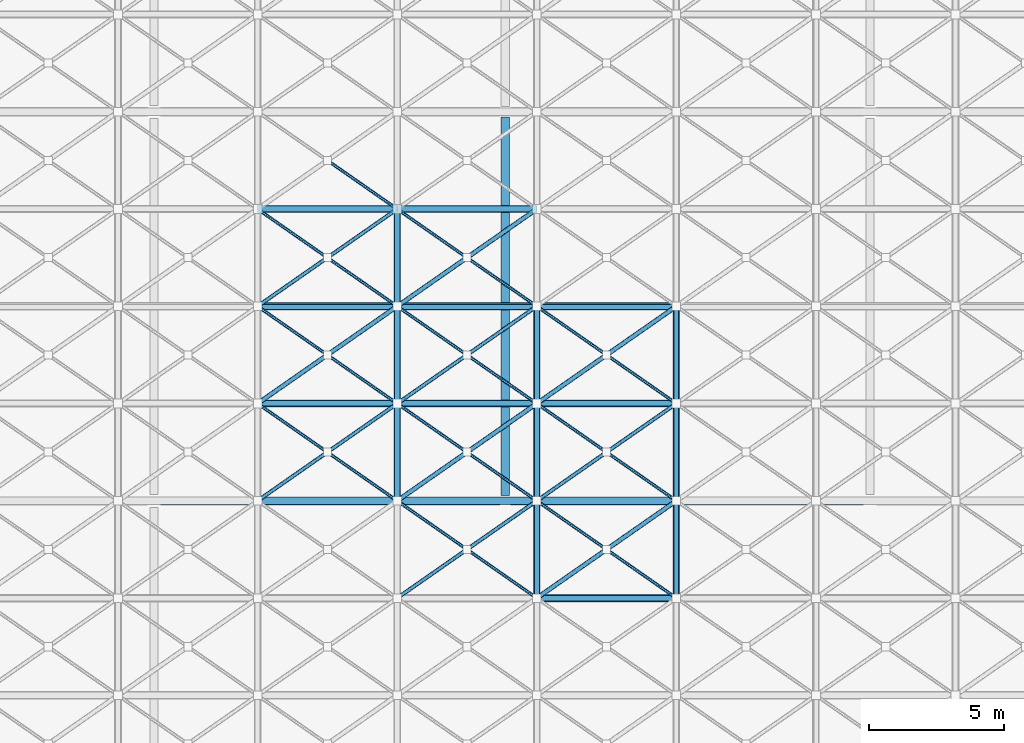
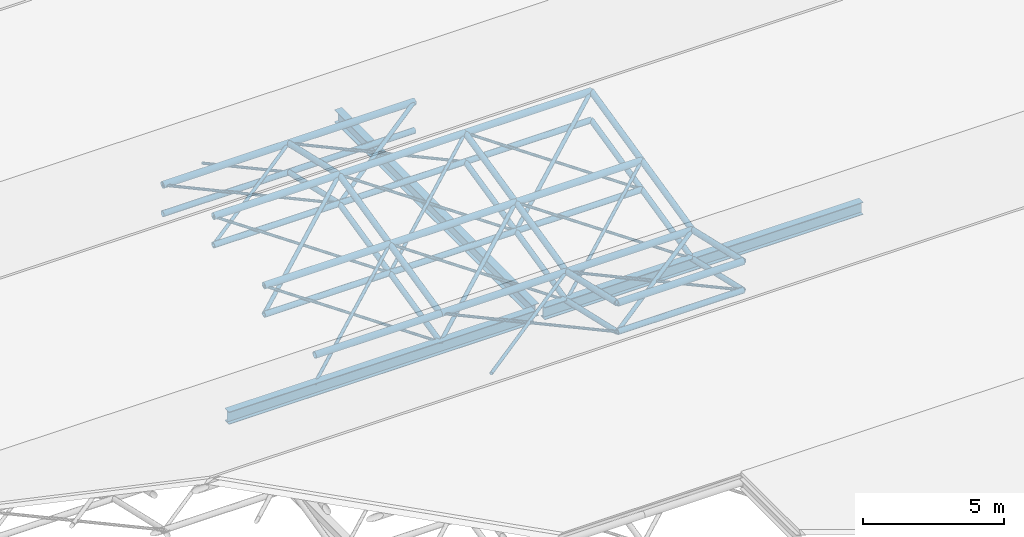
# One storey, part 39 of 110: 70 members, 3 beams.
"""IFC4 building model written with IfcOpenShell, lengths in metres."""

from ifc_helpers import new_model, si_unit, direction, frame, origin, origin_2d, place, context, subcontext, project, spatial, hollow_circle, i_section, extrude, material, material_profile, profile_set, type_object, element, save


model = new_model("IFC4")

# Units and contexts
model_context = context("Model", 3, precision=1e-05, world=origin(), true_north=direction((0.0, 1.0)))
body_context = subcontext(model_context, "Body", "Model", "MODEL_VIEW")
ifc_project = project(units=[si_unit("LENGTHUNIT", "METRE"), si_unit("AREAUNIT", "SQUARE_METRE"), si_unit("VOLUMEUNIT", "CUBIC_METRE"), si_unit("PLANEANGLEUNIT", "RADIAN"), si_unit("MASSUNIT", "GRAM", prefix="KILO")], contexts=[model_context])

# Site, building, storey
site_placement = place(None, origin())
site = spatial("IfcSite", under=ifc_project, at=site_placement, CompositionType="ELEMENT")
building_placement = place(site_placement, origin())
building = spatial("IfcBuilding", under=site, at=building_placement, Name="Tamarisk Ironworks Central Station", CompositionType="ELEMENT")
storey_placement = place(building_placement, frame((0.0, 0.0, 17.39990234375)))
storey = spatial("IfcBuildingStorey", under=building, at=storey_placement, Name="L03", CompositionType="ELEMENT", Elevation=17.39990234375)

# Beams
ifc_material_1 = material(Name="Structural steel S355J2", Category="steel")
ifc_material_profile_1 = material_profile(ifc_material_1, i_section(OverallWidth=0.300048828125, OverallDepth=0.5400390625, WebThickness=0.012451171875, FlangeThickness=0.02392578125, at=origin_2d()), Name="HEA 550")
ifc_profile_set_1 = profile_set([ifc_material_profile_1], Name="Structural steel S355J2")
beam_type = type_object("IfcBeamType", Name="BM-G04", PredefinedType="BEAM", material=ifc_profile_set_1)
beam_1_placement = place(storey_placement, frame((140.241943359375, 36.0, -1.869873046875), z_axis=(1.0, 0.0, 0.0), x_axis=(0.0, 1.0, 0.0)))
element("IfcBeam", 1, at=beam_1_placement, inside=storey, type_object=beam_type, Name="L03 primary girder X-0554", PredefinedType="BEAM", context=body_context, shape_type="SweptSolid", body=[
    extrude(i_section(OverallWidth=0.300048828125, OverallDepth=0.5400390625, WebThickness=0.012451171875, FlangeThickness=0.02392578125, at=origin_2d()), origin(), (0.0, 0.0, 1.0), 12.56689453125),
])
beam_2_placement = place(storey_placement, frame((153.191162109375, 36.0, -1.869873046875), z_axis=(1.0, 0.0, 0.0), x_axis=(0.0, 1.0, 0.0)))
element("IfcBeam", 2, at=beam_2_placement, inside=storey, type_object=beam_type, Name="L03 primary girder X-0555", PredefinedType="BEAM", context=body_context, shape_type="SweptSolid", body=[
    extrude(i_section(OverallWidth=0.300048828125, OverallDepth=0.5400390625, WebThickness=0.012451171875, FlangeThickness=0.02392578125, at=origin_2d()), origin(), (0.0, 0.0, 1.0), 13.06689453125),
])
beam_3_placement = place(storey_placement, frame((153.0, 36.191162109375, -1.869873046875), z_axis=(0.0, 1.0, 0.0), x_axis=(-1.0, 0.0, 0.0)))
element("IfcBeam", 3, at=beam_3_placement, inside=storey, type_object=beam_type, Name="L03 primary girder Y-0616", PredefinedType="BEAM", context=body_context, shape_type="SweptSolid", body=[
    extrude(i_section(OverallWidth=0.300048828125, OverallDepth=0.5400390625, WebThickness=0.012451171875, FlangeThickness=0.02392578125, at=origin_2d()), origin(), (0.0, 0.0, 1.0), 14.017578125),
])

# Members
ifc_material_2 = material(Name="Structural steel S355J2H", Category="steel")
ifc_material_profile_2 = material_profile(ifc_material_2, hollow_circle(Radius=0.136474609375, WallThickness=0.012451171875, at=origin_2d()), Name="CHS 273x12.5")
ifc_profile_set_2 = profile_set([ifc_material_profile_2], Name="Structural steel S355J2H")
member_type_1 = type_object("IfcMemberType", Name="MB-SFC01", PredefinedType="CHORD", material=ifc_profile_set_2)
member_1_placement = place(storey_placement, frame((154.166748046875, 32.39990234375, 0.35498046875), z_axis=(1.0, 0.0, 0.0), x_axis=(0.0, 1.0, 0.0)))
element("IfcMember", 4, at=member_1_placement, inside=storey, type_object=member_type_1, Name="Train shed space-frame top chord 1094", PredefinedType="CHORD", context=body_context, shape_type="SweptSolid", body=[
    extrude(hollow_circle(Radius=0.136474609375, WallThickness=0.012451171875, at=origin_2d()), origin(), (0.0, 0.0, 1.0), 5.16650390625),
])
for number, where, z_axis, x_axis, name in (
    (5, (143.833251953125, 36.0, -0.469970703125), (1.0, 0.0, 0.0), (0.0, 1.0, 0.0), "Train shed space-frame top chord 1104"),
    (6, (149.0, 36.0, -0.469970703125), (1.0, 0.0, 0.0), (0.0, 1.0, 0.0), "Train shed space-frame top chord 1105"),
):
    element("IfcMember", number, at=place(storey_placement, frame(where, z_axis=z_axis, x_axis=x_axis)), inside=storey, type_object=member_type_1, Name=name, PredefinedType="CHORD", context=body_context, shape_type="SweptSolid", body=[
        extrude(hollow_circle(Radius=0.136474609375, WallThickness=0.012451171875, at=origin_2d()), origin(), (0.0, 0.0, 1.0), 5.166748046875),
    ])
member_2_placement = place(storey_placement, frame((154.166748046875, 36.0, -0.469970703125), z_axis=(1.0, 0.0, 0.0), x_axis=(0.0, 1.0, 0.0)))
element("IfcMember", 7, at=member_2_placement, inside=storey, type_object=member_type_1, Name="Train shed space-frame top chord 1106", PredefinedType="CHORD", context=body_context, shape_type="SweptSolid", body=[
    extrude(hollow_circle(Radius=0.136474609375, WallThickness=0.012451171875, at=origin_2d()), origin(), (0.0, 0.0, 1.0), 5.16650390625),
])
for number, where, z_axis, x_axis, name in (
    (8, (143.833251953125, 39.60009765625, 0.35498046875), (1.0, 0.0, 0.0), (0.0, 1.0, 0.0), "Train shed space-frame top chord 1352"),
    (9, (149.0, 39.60009765625, 0.35498046875), (1.0, 0.0, 0.0), (0.0, 1.0, 0.0), "Train shed space-frame top chord 1353"),
):
    element("IfcMember", number, at=place(storey_placement, frame(where, z_axis=z_axis, x_axis=x_axis)), inside=storey, type_object=member_type_1, Name=name, PredefinedType="CHORD", context=body_context, shape_type="SweptSolid", body=[
        extrude(hollow_circle(Radius=0.136474609375, WallThickness=0.012451171875, at=origin_2d()), origin(), (0.0, 0.0, 1.0), 5.166748046875),
    ])
member_3_placement = place(storey_placement, frame((154.166748046875, 39.60009765625, 0.35498046875), z_axis=(1.0, 0.0, 0.0), x_axis=(0.0, 1.0, 0.0)))
element("IfcMember", 10, at=member_3_placement, inside=storey, type_object=member_type_1, Name="Train shed space-frame top chord 1354", PredefinedType="CHORD", context=body_context, shape_type="SweptSolid", body=[
    extrude(hollow_circle(Radius=0.136474609375, WallThickness=0.012451171875, at=origin_2d()), origin(), (0.0, 0.0, 1.0), 5.16650390625),
])
for number, where, z_axis, x_axis, name in (
    (11, (143.833251953125, 43.199951171875, 1.18017578125), (1.0, 0.0, 0.0), (0.0, 1.0, 0.0), "Train shed space-frame top chord 1364"),
    (12, (149.0, 43.199951171875, 1.18017578125), (1.0, 0.0, 0.0), (0.0, 1.0, 0.0), "Train shed space-frame top chord 1365"),
):
    element("IfcMember", number, at=place(storey_placement, frame(where, z_axis=z_axis, x_axis=x_axis)), inside=storey, type_object=member_type_1, Name=name, PredefinedType="CHORD", context=body_context, shape_type="SweptSolid", body=[
        extrude(hollow_circle(Radius=0.136474609375, WallThickness=0.012451171875, at=origin_2d()), origin(), (0.0, 0.0, 1.0), 5.166748046875),
    ])
member_4_placement = place(storey_placement, frame((154.166748046875, 43.199951171875, 1.18017578125), z_axis=(1.0, 0.0, 0.0), x_axis=(0.0, 1.0, 0.0)))
element("IfcMember", 13, at=member_4_placement, inside=storey, type_object=member_type_1, Name="Train shed space-frame top chord 1366", PredefinedType="CHORD", context=body_context, shape_type="SweptSolid", body=[
    extrude(hollow_circle(Radius=0.136474609375, WallThickness=0.012451171875, at=origin_2d()), origin(), (0.0, 0.0, 1.0), 5.16650390625),
])
for number, where, z_axis, x_axis, name in (
    (14, (143.833251953125, 46.800048828125, 0.35498046875), (1.0, 0.0, 0.0), (0.0, 1.0, 0.0), "Train shed space-frame top chord 1376"),
    (15, (149.0, 46.800048828125, 0.35498046875), (1.0, 0.0, 0.0), (0.0, 1.0, 0.0), "Train shed space-frame top chord 1377"),
):
    element("IfcMember", number, at=place(storey_placement, frame(where, z_axis=z_axis, x_axis=x_axis)), inside=storey, type_object=member_type_1, Name=name, PredefinedType="CHORD", context=body_context, shape_type="SweptSolid", body=[
        extrude(hollow_circle(Radius=0.136474609375, WallThickness=0.012451171875, at=origin_2d()), origin(), (0.0, 0.0, 1.0), 5.166748046875),
    ])
ifc_material_profile_3 = material_profile(ifc_material_2, hollow_circle(Radius=0.122314453125, WallThickness=0.012451171875, at=origin_2d()), Name="CHS 244.5x12.5")
ifc_profile_set_3 = profile_set([ifc_material_profile_3], Name="Structural steel S355J2H")
member_type_2 = type_object("IfcMemberType", Name="MB-SFC02", PredefinedType="CHORD", material=ifc_profile_set_3)
member_5_placement = place(storey_placement, frame((154.166748046875, 32.39990234375, -0.89501953125), z_axis=(1.0, 0.0, 0.0), x_axis=(0.0, 1.0, 0.0)))
element("IfcMember", 16, at=member_5_placement, inside=storey, type_object=member_type_2, Name="Train shed space-frame bottom chord 0994", PredefinedType="CHORD", context=body_context, shape_type="SweptSolid", body=[
    extrude(hollow_circle(Radius=0.122314453125, WallThickness=0.012451171875, at=origin_2d()), origin(), (0.0, 0.0, 1.0), 5.16650390625),
])
for number, where, z_axis, x_axis, name in (
    (17, (154.166748046875, 32.39990234375, 0.35498046875), (0.0, 0.974736516158, -0.223357838607), (-1.0, 0.0, 0.0), "Train shed space-frame top transverse chord 1142"),
    (18, (159.333251953125, 32.39990234375, 0.35498046875), (0.0, 0.974736516158, -0.223357838607), (-1.0, 0.0, 0.0), "Train shed space-frame top transverse chord 1146"),
):
    element("IfcMember", number, at=place(storey_placement, frame(where, z_axis=z_axis, x_axis=x_axis)), inside=storey, type_object=member_type_2, Name=name, PredefinedType="CHORD", context=body_context, shape_type="SweptSolid", body=[
        extrude(hollow_circle(Radius=0.122314453125, WallThickness=0.012451171875, at=origin_2d()), origin(), (0.0, 0.0, 1.0), 3.693359375),
    ])
for number, where, z_axis, x_axis, name in (
    (19, (143.833251953125, 39.60009765625, -0.89501953125), (1.0, 0.0, 0.0), (0.0, 1.0, 0.0), "Train shed space-frame bottom chord 1264"),
    (20, (149.0, 39.60009765625, -0.89501953125), (1.0, 0.0, 0.0), (0.0, 1.0, 0.0), "Train shed space-frame bottom chord 1265"),
):
    element("IfcMember", number, at=place(storey_placement, frame(where, z_axis=z_axis, x_axis=x_axis)), inside=storey, type_object=member_type_2, Name=name, PredefinedType="CHORD", context=body_context, shape_type="SweptSolid", body=[
        extrude(hollow_circle(Radius=0.122314453125, WallThickness=0.012451171875, at=origin_2d()), origin(), (0.0, 0.0, 1.0), 5.166748046875),
    ])
member_6_placement = place(storey_placement, frame((154.166748046875, 39.60009765625, -0.89501953125), z_axis=(1.0, 0.0, 0.0), x_axis=(0.0, 1.0, 0.0)))
element("IfcMember", 21, at=member_6_placement, inside=storey, type_object=member_type_2, Name="Train shed space-frame bottom chord 1266", PredefinedType="CHORD", context=body_context, shape_type="SweptSolid", body=[
    extrude(hollow_circle(Radius=0.122314453125, WallThickness=0.012451171875, at=origin_2d()), origin(), (0.0, 0.0, 1.0), 5.16650390625),
])
for number, where, z_axis, x_axis, name in (
    (22, (143.833251953125, 43.199951171875, -0.06982421875), (1.0, 0.0, 0.0), (0.0, 1.0, 0.0), "Train shed space-frame bottom chord 1276"),
    (23, (149.0, 43.199951171875, -0.06982421875), (1.0, 0.0, 0.0), (0.0, 1.0, 0.0), "Train shed space-frame bottom chord 1277"),
):
    element("IfcMember", number, at=place(storey_placement, frame(where, z_axis=z_axis, x_axis=x_axis)), inside=storey, type_object=member_type_2, Name=name, PredefinedType="CHORD", context=body_context, shape_type="SweptSolid", body=[
        extrude(hollow_circle(Radius=0.122314453125, WallThickness=0.012451171875, at=origin_2d()), origin(), (0.0, 0.0, 1.0), 5.166748046875),
    ])
member_7_placement = place(storey_placement, frame((154.166748046875, 43.199951171875, -0.06982421875), z_axis=(1.0, 0.0, 0.0), x_axis=(0.0, 1.0, 0.0)))
element("IfcMember", 24, at=member_7_placement, inside=storey, type_object=member_type_2, Name="Train shed space-frame bottom chord 1278", PredefinedType="CHORD", context=body_context, shape_type="SweptSolid", body=[
    extrude(hollow_circle(Radius=0.122314453125, WallThickness=0.012451171875, at=origin_2d()), origin(), (0.0, 0.0, 1.0), 5.16650390625),
])
for number, where, z_axis, x_axis, name in (
    (25, (143.833251953125, 46.800048828125, -0.89501953125), (1.0, 0.0, 0.0), (0.0, 1.0, 0.0), "Train shed space-frame bottom chord 1288"),
    (26, (149.0, 46.800048828125, -0.89501953125), (1.0, 0.0, 0.0), (0.0, 1.0, 0.0), "Train shed space-frame bottom chord 1289"),
):
    element("IfcMember", number, at=place(storey_placement, frame(where, z_axis=z_axis, x_axis=x_axis)), inside=storey, type_object=member_type_2, Name=name, PredefinedType="CHORD", context=body_context, shape_type="SweptSolid", body=[
        extrude(hollow_circle(Radius=0.122314453125, WallThickness=0.012451171875, at=origin_2d()), origin(), (0.0, 0.0, 1.0), 5.166748046875),
    ])
member_8_placement = place(storey_placement, frame((149.0, 36.0, -0.469970703125), z_axis=(0.0, 0.974736516158, 0.223357838607), x_axis=(-1.0, 0.0, 0.0)))
element("IfcMember", 27, at=member_8_placement, inside=storey, type_object=member_type_2, Name="Train shed space-frame top transverse chord 1419", PredefinedType="CHORD", context=body_context, shape_type="SweptSolid", body=[
    extrude(hollow_circle(Radius=0.122314453125, WallThickness=0.012451171875, at=origin_2d()), origin(), (0.0, 0.0, 1.0), 3.693359375),
])
member_9_placement = place(storey_placement, frame((149.0, 39.60009765625, 0.35498046875), z_axis=(0.0, 0.974718823144, 0.223435037113), x_axis=(-1.0, 0.0, 0.0)))
element("IfcMember", 28, at=member_9_placement, inside=storey, type_object=member_type_2, Name="Train shed space-frame top transverse chord 1420", PredefinedType="CHORD", context=body_context, shape_type="SweptSolid", body=[
    extrude(hollow_circle(Radius=0.122314453125, WallThickness=0.012451171875, at=origin_2d()), origin(), (0.0, 0.0, 1.0), 3.693115234375),
])
for number, where, z_axis, x_axis, name in (
    (29, (149.0, 43.199951171875, 1.18017578125), (0.0, 0.974722123001, -0.223420641241), (-1.0, 0.0, 0.0), "Train shed space-frame top transverse chord 1421"),
    (30, (154.166748046875, 36.0, -0.469970703125), (0.0, 0.974736516158, 0.223357838607), (-1.0, 0.0, 0.0), "Train shed space-frame top transverse chord 1423"),
):
    element("IfcMember", number, at=place(storey_placement, frame(where, z_axis=z_axis, x_axis=x_axis)), inside=storey, type_object=member_type_2, Name=name, PredefinedType="CHORD", context=body_context, shape_type="SweptSolid", body=[
        extrude(hollow_circle(Radius=0.122314453125, WallThickness=0.012451171875, at=origin_2d()), origin(), (0.0, 0.0, 1.0), 3.693359375),
    ])
member_10_placement = place(storey_placement, frame((154.166748046875, 39.60009765625, 0.35498046875), z_axis=(0.0, 0.974718823144, 0.223435037113), x_axis=(-1.0, 0.0, 0.0)))
element("IfcMember", 31, at=member_10_placement, inside=storey, type_object=member_type_2, Name="Train shed space-frame top transverse chord 1424", PredefinedType="CHORD", context=body_context, shape_type="SweptSolid", body=[
    extrude(hollow_circle(Radius=0.122314453125, WallThickness=0.012451171875, at=origin_2d()), origin(), (0.0, 0.0, 1.0), 3.693115234375),
])
member_11_placement = place(storey_placement, frame((159.333251953125, 36.0, -0.469970703125), z_axis=(0.0, 0.974736516158, 0.223357838607), x_axis=(-1.0, 0.0, 0.0)))
element("IfcMember", 32, at=member_11_placement, inside=storey, type_object=member_type_2, Name="Train shed space-frame top transverse chord 1427", PredefinedType="CHORD", context=body_context, shape_type="SweptSolid", body=[
    extrude(hollow_circle(Radius=0.122314453125, WallThickness=0.012451171875, at=origin_2d()), origin(), (0.0, 0.0, 1.0), 3.693359375),
])
member_12_placement = place(storey_placement, frame((159.333251953125, 39.60009765625, 0.35498046875), z_axis=(0.0, 0.974718823144, 0.223435037113), x_axis=(-1.0, 0.0, 0.0)))
element("IfcMember", 33, at=member_12_placement, inside=storey, type_object=member_type_2, Name="Train shed space-frame top transverse chord 1428", PredefinedType="CHORD", context=body_context, shape_type="SweptSolid", body=[
    extrude(hollow_circle(Radius=0.122314453125, WallThickness=0.012451171875, at=origin_2d()), origin(), (0.0, 0.0, 1.0), 3.693115234375),
])
ifc_material_profile_4 = material_profile(ifc_material_2, hollow_circle(Radius=0.109619140625, WallThickness=0.010009765625, at=origin_2d()), Name="CHS 219.1x10")
ifc_profile_set_4 = profile_set([ifc_material_profile_4], Name="Structural steel S355J2H")
member_type_3 = type_object("IfcMemberType", Name="MB-SFC03", PredefinedType="CHORD", material=ifc_profile_set_4)
for number, where, z_axis, x_axis, name in (
    (34, (154.166748046875, 32.39990234375, -0.89501953125), (0.0, 0.974736516158, -0.223357838607), (-1.0, 0.0, 0.0), "Train shed space-frame transverse chord 1030"),
    (35, (159.333251953125, 32.39990234375, -0.89501953125), (0.0, 0.974736516158, -0.223357838607), (-1.0, 0.0, 0.0), "Train shed space-frame transverse chord 1034"),
    (36, (149.0, 36.0, -1.719970703125), (0.0, 0.974736516158, 0.223357838607), (-1.0, 0.0, 0.0), "Train shed space-frame transverse chord 1319"),
):
    element("IfcMember", number, at=place(storey_placement, frame(where, z_axis=z_axis, x_axis=x_axis)), inside=storey, type_object=member_type_3, Name=name, PredefinedType="CHORD", context=body_context, shape_type="SweptSolid", body=[
        extrude(hollow_circle(Radius=0.109619140625, WallThickness=0.010009765625, at=origin_2d()), origin(), (0.0, 0.0, 1.0), 3.693359375),
    ])
member_13_placement = place(storey_placement, frame((149.0, 39.60009765625, -0.89501953125), z_axis=(0.0, 0.974718823144, 0.223435037113), x_axis=(-1.0, 0.0, 0.0)))
element("IfcMember", 37, at=member_13_placement, inside=storey, type_object=member_type_3, Name="Train shed space-frame transverse chord 1320", PredefinedType="CHORD", context=body_context, shape_type="SweptSolid", body=[
    extrude(hollow_circle(Radius=0.109619140625, WallThickness=0.010009765625, at=origin_2d()), origin(), (0.0, 0.0, 1.0), 3.693115234375),
])
for number, where, z_axis, x_axis, name in (
    (38, (149.0, 43.199951171875, -0.06982421875), (0.0, 0.974722123001, -0.223420641241), (-1.0, 0.0, 0.0), "Train shed space-frame transverse chord 1321"),
    (39, (154.166748046875, 36.0, -1.719970703125), (0.0, 0.974736516158, 0.223357838607), (-1.0, 0.0, 0.0), "Train shed space-frame transverse chord 1323"),
):
    element("IfcMember", number, at=place(storey_placement, frame(where, z_axis=z_axis, x_axis=x_axis)), inside=storey, type_object=member_type_3, Name=name, PredefinedType="CHORD", context=body_context, shape_type="SweptSolid", body=[
        extrude(hollow_circle(Radius=0.109619140625, WallThickness=0.010009765625, at=origin_2d()), origin(), (0.0, 0.0, 1.0), 3.693359375),
    ])
member_14_placement = place(storey_placement, frame((154.166748046875, 39.60009765625, -0.89501953125), z_axis=(0.0, 0.974718823144, 0.223435037113), x_axis=(-1.0, 0.0, 0.0)))
element("IfcMember", 40, at=member_14_placement, inside=storey, type_object=member_type_3, Name="Train shed space-frame transverse chord 1324", PredefinedType="CHORD", context=body_context, shape_type="SweptSolid", body=[
    extrude(hollow_circle(Radius=0.109619140625, WallThickness=0.010009765625, at=origin_2d()), origin(), (0.0, 0.0, 1.0), 3.693115234375),
])
member_15_placement = place(storey_placement, frame((159.333251953125, 36.0, -1.719970703125), z_axis=(0.0, 0.974736516158, 0.223357838607), x_axis=(-1.0, 0.0, 0.0)))
element("IfcMember", 41, at=member_15_placement, inside=storey, type_object=member_type_3, Name="Train shed space-frame transverse chord 1327", PredefinedType="CHORD", context=body_context, shape_type="SweptSolid", body=[
    extrude(hollow_circle(Radius=0.109619140625, WallThickness=0.010009765625, at=origin_2d()), origin(), (0.0, 0.0, 1.0), 3.693359375),
])
member_16_placement = place(storey_placement, frame((159.333251953125, 39.60009765625, -0.89501953125), z_axis=(0.0, 0.974718823144, 0.223435037113), x_axis=(-1.0, 0.0, 0.0)))
element("IfcMember", 42, at=member_16_placement, inside=storey, type_object=member_type_3, Name="Train shed space-frame transverse chord 1328", PredefinedType="CHORD", context=body_context, shape_type="SweptSolid", body=[
    extrude(hollow_circle(Radius=0.109619140625, WallThickness=0.010009765625, at=origin_2d()), origin(), (0.0, 0.0, 1.0), 3.693115234375),
])
ifc_material_profile_5 = material_profile(ifc_material_2, hollow_circle(Radius=0.084228515625, WallThickness=0.010009765625, at=origin_2d()), Name="CHS 168.3x10")
ifc_profile_set_5 = profile_set([ifc_material_profile_5], Name="Structural steel S355J2H")
member_type_4 = type_object("IfcMemberType", Name="MB-SFD01", PredefinedType="BRACE", material=ifc_profile_set_5)
member_17_placement = place(storey_placement, frame((154.166748046875, 32.39990234375, -0.89501953125), z_axis=(0.818594988647, 0.570409304536, 0.067345897138), x_axis=(-0.571707258436, 0.820457683645, 0.0)))
element("IfcMember", 43, at=member_17_placement, inside=storey, type_object=member_type_4, Name="Train shed space-frame diagonal 1225", PredefinedType="BRACE", context=body_context, shape_type="SweptSolid", body=[
    extrude(hollow_circle(Radius=0.084228515625, WallThickness=0.010009765625, at=origin_2d()), origin(), (0.0, 0.0, 1.0), 6.3115234375),
])
for number, where, z_axis, x_axis, name in (
    (44, (143.833251953125, 39.60009765625, -0.89501953125), (0.779264964314, 0.542941071625, 0.312987392934), (-0.57166297408, 0.820488539875, 0.0), "Train shed space-frame diagonal 1489"),
    (45, (149.0, 36.0, -1.719970703125), (0.77925836502, 0.542973295402, 0.312947920631), (-0.571689073201, 0.82047035509, 0.0), "Train shed space-frame diagonal 1495"),
):
    element("IfcMember", number, at=place(storey_placement, frame(where, z_axis=z_axis, x_axis=x_axis)), inside=storey, type_object=member_type_4, Name=name, PredefinedType="BRACE", context=body_context, shape_type="SweptSolid", body=[
        extrude(hollow_circle(Radius=0.084228515625, WallThickness=0.010009765625, at=origin_2d()), origin(), (0.0, 0.0, 1.0), 6.63037109375),
    ])
member_18_placement = place(storey_placement, frame((149.0, 43.199951171875, -0.06982421875), z_axis=(0.818609881232, 0.570392728283, 0.067305258864), x_axis=(-0.571689073201, 0.82047035509, 0.0)))
element("IfcMember", 46, at=member_18_placement, inside=storey, type_object=member_type_4, Name="Train shed space-frame diagonal 1499", PredefinedType="BRACE", context=body_context, shape_type="SweptSolid", body=[
    extrude(hollow_circle(Radius=0.084228515625, WallThickness=0.010009765625, at=origin_2d()), origin(), (0.0, 0.0, 1.0), 6.3115234375),
])
member_19_placement = place(storey_placement, frame((154.166748046875, 39.60009765625, -0.89501953125), z_axis=(0.779250501976, 0.54295665115, 0.31299637401), x_axis=(-0.571681159291, 0.820475869305, 0.0)))
element("IfcMember", 47, at=member_19_placement, inside=storey, type_object=member_type_4, Name="Train shed space-frame diagonal 1505", PredefinedType="BRACE", context=body_context, shape_type="SweptSolid", body=[
    extrude(hollow_circle(Radius=0.084228515625, WallThickness=0.010009765625, at=origin_2d()), origin(), (0.0, 0.0, 1.0), 6.630126953125),
])
ifc_material_profile_6 = material_profile(ifc_material_2, hollow_circle(Radius=0.06982421875, WallThickness=0.008056640625, at=origin_2d()), Name="CHS 139.7x8")
ifc_profile_set_6 = profile_set([ifc_material_profile_6], Name="Structural steel S355J2H")
member_type_5 = type_object("IfcMemberType", Name="MB-SFD02", PredefinedType="BRACE", material=ifc_profile_set_6)
member_20_placement = place(storey_placement, frame((149.0, 32.39990234375, -0.89501953125), z_axis=(0.818607749421, 0.570391242875, 0.067343764671), x_axis=(-0.571689073201, 0.82047035509, 0.0)))
element("IfcMember", 48, at=member_20_placement, inside=storey, type_object=member_type_5, Name="Train shed space-frame diagonal 1217", PredefinedType="BRACE", context=body_context, shape_type="SweptSolid", body=[
    extrude(hollow_circle(Radius=0.06982421875, WallThickness=0.008056640625, at=origin_2d()), origin(), (0.0, 0.0, 1.0), 6.3115234375),
])
member_21_placement = place(storey_placement, frame((143.833251953125, 36.0, -1.719970703125), z_axis=(0.77925836502, 0.542973295402, 0.312947920631), x_axis=(-0.571689073201, 0.82047035509, 0.0)))
element("IfcMember", 49, at=member_21_placement, inside=storey, type_object=member_type_5, Name="Train shed space-frame diagonal 1487", PredefinedType="BRACE", context=body_context, shape_type="SweptSolid", body=[
    extrude(hollow_circle(Radius=0.06982421875, WallThickness=0.008056640625, at=origin_2d()), origin(), (0.0, 0.0, 1.0), 6.63037109375),
])
member_22_placement = place(storey_placement, frame((143.833251953125, 43.199951171875, -0.06982421875), z_axis=(0.818609881232, 0.570392728283, 0.067305258864), x_axis=(-0.571689073201, 0.82047035509, 0.0)))
element("IfcMember", 50, at=member_22_placement, inside=storey, type_object=member_type_5, Name="Train shed space-frame diagonal 1491", PredefinedType="BRACE", context=body_context, shape_type="SweptSolid", body=[
    extrude(hollow_circle(Radius=0.06982421875, WallThickness=0.008056640625, at=origin_2d()), origin(), (0.0, 0.0, 1.0), 6.3115234375),
])
member_23_placement = place(storey_placement, frame((149.0, 39.60009765625, -0.89501953125), z_axis=(0.779264964314, 0.542941071625, 0.312987392934), x_axis=(-0.57166297408, 0.820488539875, 0.0)))
element("IfcMember", 51, at=member_23_placement, inside=storey, type_object=member_type_5, Name="Train shed space-frame diagonal 1497", PredefinedType="BRACE", context=body_context, shape_type="SweptSolid", body=[
    extrude(hollow_circle(Radius=0.06982421875, WallThickness=0.008056640625, at=origin_2d()), origin(), (0.0, 0.0, 1.0), 6.63037109375),
])
member_24_placement = place(storey_placement, frame((154.166748046875, 36.0, -1.719970703125), z_axis=(0.779243902426, 0.542988875587, 0.312956900421), x_axis=(-0.571707258436, 0.820457683645, 0.0)))
element("IfcMember", 52, at=member_24_placement, inside=storey, type_object=member_type_5, Name="Train shed space-frame diagonal 1503", PredefinedType="BRACE", context=body_context, shape_type="SweptSolid", body=[
    extrude(hollow_circle(Radius=0.06982421875, WallThickness=0.008056640625, at=origin_2d()), origin(), (0.0, 0.0, 1.0), 6.630126953125),
])
ifc_material_profile_7 = material_profile(ifc_material_2, hollow_circle(Radius=0.05712890625, WallThickness=0.00634765625, at=origin_2d()), Name="CHS 114.3x6.3")
ifc_profile_set_7 = profile_set([ifc_material_profile_7], Name="Structural steel S355J2H")
member_type_6 = type_object("IfcMemberType", Name="MB-SFD03", PredefinedType="BRACE", material=ifc_profile_set_7)
for number, where, z_axis, x_axis, name in (
    (53, (154.166748046875, 32.39990234375, -0.89501953125), (-0.818584353535, 0.570418740152, 0.06739523003), (-0.571718624339, -0.820449763596, 0.0), "Train shed space-frame split counter-diagonal lower 1218"),
    (54, (151.538330078125, 34.2314453125, -0.6787109375), (-0.81862545828, 0.570368646704, 0.067319877544), (-0.571665501983, -0.820486778591, 0.0), "Train shed space-frame split counter-diagonal upper 1218"),
    (55, (159.333251953125, 32.39990234375, -0.89501953125), (-0.818584353535, 0.570418740152, 0.06739523003), (-0.571718624339, -0.820449763596, 0.0), "Train shed space-frame split counter-diagonal lower 1226"),
    (56, (156.705078125, 34.2314453125, -0.6787109375), (-0.81862545828, 0.570368646704, 0.067319877544), (-0.571665501983, -0.820486778591, 0.0), "Train shed space-frame split counter-diagonal upper 1226"),
):
    element("IfcMember", number, at=place(storey_placement, frame(where, z_axis=z_axis, x_axis=x_axis)), inside=storey, type_object=member_type_6, Name=name, PredefinedType="BRACE", context=body_context, shape_type="SweptSolid", body=[
        extrude(hollow_circle(Radius=0.05712890625, WallThickness=0.00634765625, at=origin_2d()), origin(), (0.0, 0.0, 1.0), 3.100830078125),
    ])
member_25_placement = place(storey_placement, frame((149.0, 36.0, -1.719970703125), z_axis=(-0.779251958926, 0.542967486998, 0.312973948712), x_axis=(-0.571688120068, -0.820471019216, 0.0)))
element("IfcMember", 57, at=member_25_placement, inside=storey, type_object=member_type_6, Name="Train shed space-frame split counter-diagonal lower 1488", PredefinedType="BRACE", context=body_context, shape_type="SweptSolid", body=[
    extrude(hollow_circle(Radius=0.05712890625, WallThickness=0.00634765625, at=origin_2d()), origin(), (0.0, 0.0, 1.0), 3.260009765625),
])
member_26_placement = place(storey_placement, frame((146.373779296875, 37.829833984375, -0.665283203125), z_axis=(-0.779249686219, 0.542988609915, 0.312942959707), x_axis=(-0.571704213709, -0.820459805248, 0.0)))
element("IfcMember", 58, at=member_26_placement, inside=storey, type_object=member_type_6, Name="Train shed space-frame split counter-diagonal upper 1488", PredefinedType="BRACE", context=body_context, shape_type="SweptSolid", body=[
    extrude(hollow_circle(Radius=0.05712890625, WallThickness=0.00634765625, at=origin_2d()), origin(), (0.0, 0.0, 1.0), 3.26025390625),
])
for number, where, z_axis, x_axis, name in (
    (59, (149.0, 39.60009765625, -0.89501953125), (-0.779233692289, 0.542954759164, 0.313041502525), (-0.571688120068, -0.820471019216, 0.0), "Train shed space-frame split counter-diagonal lower 1490"),
    (60, (146.373779296875, 41.429931640625, 0.159912109375), (-0.779281371438, 0.542935800781, 0.31295568434), (-0.571651135352, -0.820496788203, 0.0), "Train shed space-frame split counter-diagonal upper 1490"),
):
    element("IfcMember", number, at=place(storey_placement, frame(where, z_axis=z_axis, x_axis=x_axis)), inside=storey, type_object=member_type_6, Name=name, PredefinedType="BRACE", context=body_context, shape_type="SweptSolid", body=[
        extrude(hollow_circle(Radius=0.05712890625, WallThickness=0.00634765625, at=origin_2d()), origin(), (0.0, 0.0, 1.0), 3.260009765625),
    ])
for number, where, z_axis, x_axis, name in (
    (61, (149.0, 43.199951171875, -0.06982421875), (-0.81862545828, 0.570368646704, 0.067319877544), (-0.571665501983, -0.820486778591, 0.0), "Train shed space-frame split counter-diagonal lower 1492"),
    (62, (146.37158203125, 45.031494140625, 0.146240234375), (-0.81862545828, 0.570368646704, 0.067319877544), (-0.571665501983, -0.820486778591, 0.0), "Train shed space-frame split counter-diagonal upper 1492"),
    (63, (149.0, 46.800048828125, -0.89501953125), (-0.818621116616, 0.570365621695, 0.067398256788), (-0.571665501983, -0.820486778591, 0.0), "Train shed space-frame split counter-diagonal lower 1494"),
):
    element("IfcMember", number, at=place(storey_placement, frame(where, z_axis=z_axis, x_axis=x_axis)), inside=storey, type_object=member_type_6, Name=name, PredefinedType="BRACE", context=body_context, shape_type="SweptSolid", body=[
        extrude(hollow_circle(Radius=0.05712890625, WallThickness=0.00634765625, at=origin_2d()), origin(), (0.0, 0.0, 1.0), 3.100830078125),
    ])
for number, where, z_axis, x_axis, name in (
    (64, (154.166748046875, 36.0, -1.719970703125), (-0.779281371438, 0.542935800781, 0.31295568434), (-0.571651135352, -0.820496788203, 0.0), "Train shed space-frame split counter-diagonal lower 1496"),
    (65, (151.540283203125, 37.829833984375, -0.665283203125), (-0.779220271205, 0.543020296637, 0.312961221852), (-0.571741198525, -0.820434032637, 0.0), "Train shed space-frame split counter-diagonal upper 1496"),
):
    element("IfcMember", number, at=place(storey_placement, frame(where, z_axis=z_axis, x_axis=x_axis)), inside=storey, type_object=member_type_6, Name=name, PredefinedType="BRACE", context=body_context, shape_type="SweptSolid", body=[
        extrude(hollow_circle(Radius=0.05712890625, WallThickness=0.00634765625, at=origin_2d()), origin(), (0.0, 0.0, 1.0), 3.260009765625),
    ])
member_27_placement = place(storey_placement, frame((154.166748046875, 39.60009765625, -0.89501953125), z_axis=(-0.779263106243, 0.542923075174, 0.313023235066), x_axis=(-0.571651135352, -0.820496788203, 0.0)))
element("IfcMember", 66, at=member_27_placement, inside=storey, type_object=member_type_6, Name="Train shed space-frame split counter-diagonal lower 1498", PredefinedType="BRACE", context=body_context, shape_type="SweptSolid", body=[
    extrude(hollow_circle(Radius=0.05712890625, WallThickness=0.00634765625, at=origin_2d()), origin(), (0.0, 0.0, 1.0), 3.26025390625),
])
member_28_placement = place(storey_placement, frame((151.540283203125, 41.429931640625, 0.159912109375), z_axis=(-0.779251958926, 0.542967486998, 0.312973948712), x_axis=(-0.571688120068, -0.820471019216, 0.0)))
element("IfcMember", 67, at=member_28_placement, inside=storey, type_object=member_type_6, Name="Train shed space-frame split counter-diagonal upper 1498", PredefinedType="BRACE", context=body_context, shape_type="SweptSolid", body=[
    extrude(hollow_circle(Radius=0.05712890625, WallThickness=0.00634765625, at=origin_2d()), origin(), (0.0, 0.0, 1.0), 3.260009765625),
])
for number, where, z_axis, x_axis, name in (
    (68, (154.166748046875, 43.199951171875, -0.06982421875), (-0.81862545828, 0.570368646704, 0.067319877544), (-0.571665501983, -0.820486778591, 0.0), "Train shed space-frame split counter-diagonal lower 1500"),
    (69, (151.538330078125, 45.031494140625, 0.146240234375), (-0.81862545828, 0.570368646704, 0.067319877544), (-0.571665501983, -0.820486778591, 0.0), "Train shed space-frame split counter-diagonal upper 1500"),
):
    element("IfcMember", number, at=place(storey_placement, frame(where, z_axis=z_axis, x_axis=x_axis)), inside=storey, type_object=member_type_6, Name=name, PredefinedType="BRACE", context=body_context, shape_type="SweptSolid", body=[
        extrude(hollow_circle(Radius=0.05712890625, WallThickness=0.00634765625, at=origin_2d()), origin(), (0.0, 0.0, 1.0), 3.100830078125),
    ])
for number, where, z_axis, x_axis, name in (
    (70, (159.333251953125, 36.0, -1.719970703125), (-0.779251958926, 0.542967486998, 0.312973948712), (-0.571688120068, -0.820471019216, 0.0), "Train shed space-frame split counter-diagonal lower 1504"),
    (71, (156.70703125, 37.829833984375, -0.665283203125), (-0.779220271205, 0.543020296637, 0.312961221852), (-0.571741198525, -0.820434032637, 0.0), "Train shed space-frame split counter-diagonal upper 1504"),
    (72, (159.333251953125, 39.60009765625, -0.89501953125), (-0.779233692289, 0.542954759164, 0.313041502525), (-0.571688120068, -0.820471019216, 0.0), "Train shed space-frame split counter-diagonal lower 1506"),
    (73, (156.70703125, 41.429931640625, 0.159912109375), (-0.779251958926, 0.542967486998, 0.312973948712), (-0.571688120068, -0.820471019216, 0.0), "Train shed space-frame split counter-diagonal upper 1506"),
):
    element("IfcMember", number, at=place(storey_placement, frame(where, z_axis=z_axis, x_axis=x_axis)), inside=storey, type_object=member_type_6, Name=name, PredefinedType="BRACE", context=body_context, shape_type="SweptSolid", body=[
        extrude(hollow_circle(Radius=0.05712890625, WallThickness=0.00634765625, at=origin_2d()), origin(), (0.0, 0.0, 1.0), 3.260009765625),
    ])

save(model, "model.ifc")
